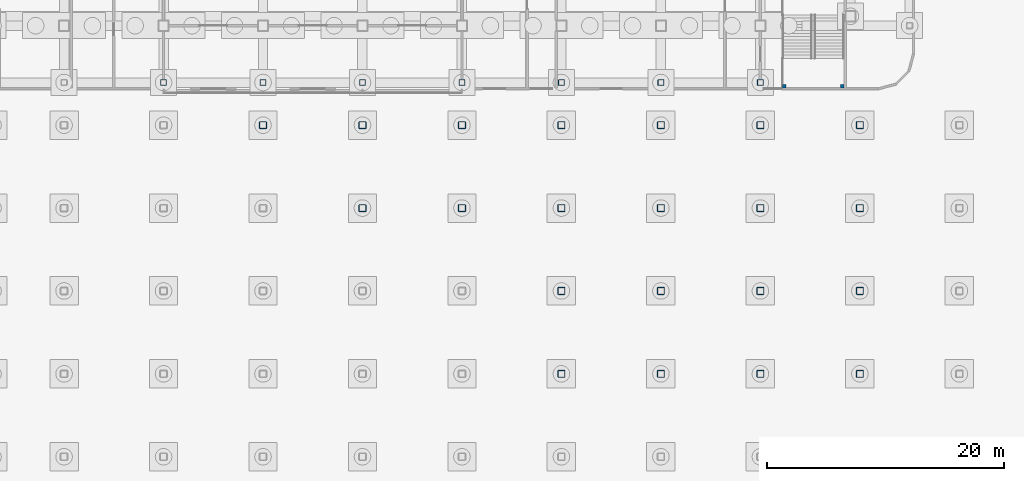
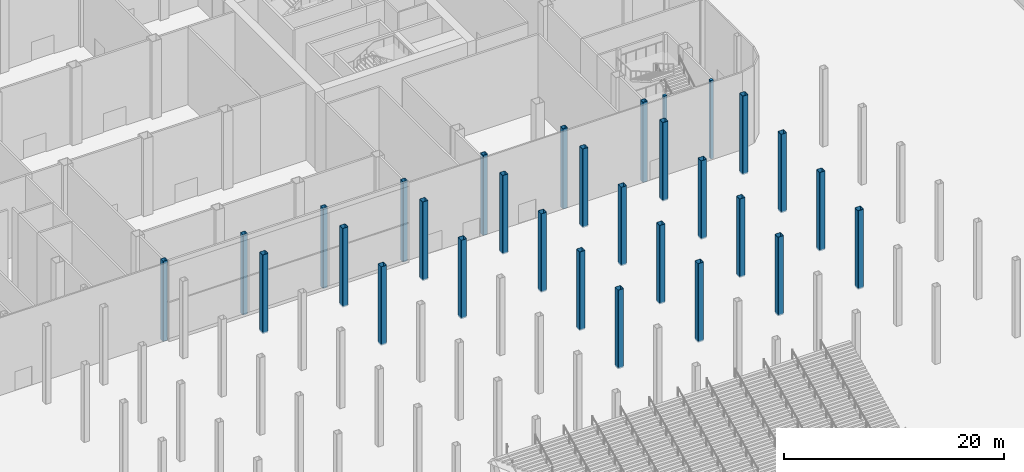
# One storey, part 10 of 113: 30 columns.
"""IFC4 building model written with IfcOpenShell, lengths in metres."""

from ifc_helpers import new_model, si_unit, direction, frame, origin, origin_2d, place, context, subcontext, project, spatial, rectangle, hollow_rectangle, extrude, material, material_profile, profile_set, type_object, element, save


model = new_model("IFC4")

# Units and contexts
model_context = context("Model", 3, precision=1e-05, world=origin(), true_north=direction((0.0, 1.0)))
body_context = subcontext(model_context, "Body", "Model", "MODEL_VIEW")
ifc_project = project(units=[si_unit("LENGTHUNIT", "METRE"), si_unit("AREAUNIT", "SQUARE_METRE"), si_unit("VOLUMEUNIT", "CUBIC_METRE"), si_unit("PLANEANGLEUNIT", "RADIAN"), si_unit("MASSUNIT", "GRAM", prefix="KILO")], contexts=[model_context])

# Site, building, storey
site_placement = place(None, origin())
site = spatial("IfcSite", under=ifc_project, at=site_placement, CompositionType="ELEMENT")
building_placement = place(site_placement, origin())
building = spatial("IfcBuilding", under=site, at=building_placement, Name="Hakoniwa Tower and Hamabe Station Hall", CompositionType="ELEMENT")
storey_placement = place(building_placement, origin())
storey = spatial("IfcBuildingStorey", under=building, at=storey_placement, Name="L01", CompositionType="ELEMENT", Elevation=0.0)

# Columns
ifc_material_1 = material(Name="Steel BCR295", Category="steel")
ifc_material_profile_1 = material_profile(ifc_material_1, hollow_rectangle(XDim=0.5, YDim=0.5, WallThickness=0.01904296875, InnerFilletRadius=0.028564453125, OuterFilletRadius=0.047607421875, at=origin_2d()), Name="BCR-500x500x19")
ifc_profile_set_1 = profile_set([ifc_material_profile_1], Name="Steel BCR295")
column_type_1 = type_object("IfcColumnType", Name="COLUMN BCR-500x500x19", PredefinedType="COLUMN", material=ifc_profile_set_1)
for number, where, z_axis, x_axis, name in (
    (1, (-8.39990234375, -24.39990234375, -0.300048828125), (0.0, 0.0, 1.0), (1.0, 0.0, 0.0), "Column P-6-RS"),
    (2, (0.0, -24.39990234375, -0.300048828125), (0.0, 0.0, 1.0), (1.0, 0.0, 0.0), "Column P-7-RS"),
    (3, (8.39990234375, -24.39990234375, -0.300048828125), (0.0, 0.0, 1.0), (1.0, 0.0, 0.0), "Column P-8-RS"),
    (4, (16.800048828125, -24.39990234375, -0.300048828125), (0.0, 0.0, 1.0), (1.0, 0.0, 0.0), "Column P-9-RS"),
    (5, (25.199951171875, -24.39990234375, -0.300048828125), (0.0, 0.0, 1.0), (1.0, 0.0, 0.0), "Column P-10-RS"),
    (6, (33.60009765625, -24.39990234375, -0.300048828125), (0.0, 0.0, 1.0), (1.0, 0.0, 0.0), "Column P-11-RS"),
    (7, (42.0, -24.39990234375, -0.300048828125), (0.0, 0.0, 1.0), (1.0, 0.0, 0.0), "Column P-12-RS"),
):
    element("IfcColumn", number, at=place(storey_placement, frame(where, z_axis=z_axis, x_axis=x_axis)), inside=storey, type_object=column_type_1, Name=name, PredefinedType="COLUMN", context=body_context, shape_type="SweptSolid", body=[
        extrude(hollow_rectangle(XDim=0.5, YDim=0.5, WallThickness=0.01904296875, InnerFilletRadius=0.028564453125, OuterFilletRadius=0.047607421875, at=origin_2d()), origin(), (0.0, 0.0, 1.0), 8.900146484375),
    ])
ifc_material_2 = material(Name="Steel BCP325", Category="steel")
ifc_material_profile_2 = material_profile(ifc_material_2, hollow_rectangle(XDim=0.60009765625, YDim=0.60009765625, WallThickness=0.02490234375, OuterFilletRadius=0.0625, at=origin_2d()), Name="DECK COLUMN BCP-600x600x25")
ifc_profile_set_2 = profile_set([ifc_material_profile_2], Name="Steel BCP325")
column_type_2 = type_object("IfcColumnType", Name="DECK COLUMN BCP-600x600x25", PredefinedType="COLUMN", material=ifc_profile_set_2)
for number, where, z_axis, x_axis, name in (
    (8, (0.0, -28.0, -0.14990234375), (0.0, 0.0, 1.0), (1.0, 0.0, 0.0), "Deck column 24"),
    (9, (8.39990234375, -35.0, -0.14990234375), (0.0, 0.0, 1.0), (1.0, 0.0, 0.0), "Deck column 29"),
    (10, (8.39990234375, -28.0, -0.14990234375), (0.0, 0.0, 1.0), (1.0, 0.0, 0.0), "Deck column 30"),
    (11, (16.800048828125, -35.0, -0.14990234375), (0.0, 0.0, 1.0), (1.0, 0.0, 0.0), "Deck column 35"),
    (12, (16.800048828125, -28.0, -0.14990234375), (0.0, 0.0, 1.0), (1.0, 0.0, 0.0), "Deck column 36"),
    (13, (25.199951171875, -49.0, -0.14990234375), (0.0, 0.0, 1.0), (1.0, 0.0, 0.0), "Deck column 39"),
    (14, (25.199951171875, -42.0, -0.14990234375), (0.0, 0.0, 1.0), (1.0, 0.0, 0.0), "Deck column 40"),
    (15, (25.199951171875, -35.0, -0.14990234375), (0.0, 0.0, 1.0), (1.0, 0.0, 0.0), "Deck column 41"),
    (16, (25.199951171875, -28.0, -0.14990234375), (0.0, 0.0, 1.0), (1.0, 0.0, 0.0), "Deck column 42"),
    (17, (33.60009765625, -49.0, -0.14990234375), (0.0, 0.0, 1.0), (1.0, 0.0, 0.0), "Deck column 45"),
    (18, (33.60009765625, -42.0, -0.14990234375), (0.0, 0.0, 1.0), (1.0, 0.0, 0.0), "Deck column 46"),
    (19, (33.60009765625, -35.0, -0.14990234375), (0.0, 0.0, 1.0), (1.0, 0.0, 0.0), "Deck column 47"),
    (20, (33.60009765625, -28.0, -0.14990234375), (0.0, 0.0, 1.0), (1.0, 0.0, 0.0), "Deck column 48"),
    (21, (42.0, -49.0, -0.14990234375), (0.0, 0.0, 1.0), (1.0, 0.0, 0.0), "Deck column 51"),
    (22, (42.0, -42.0, -0.14990234375), (0.0, 0.0, 1.0), (1.0, 0.0, 0.0), "Deck column 52"),
    (23, (42.0, -35.0, -0.14990234375), (0.0, 0.0, 1.0), (1.0, 0.0, 0.0), "Deck column 53"),
    (24, (42.0, -28.0, -0.14990234375), (0.0, 0.0, 1.0), (1.0, 0.0, 0.0), "Deck column 54"),
    (25, (50.39990234375, -49.0, -0.14990234375), (0.0, 0.0, 1.0), (1.0, 0.0, 0.0), "Deck column 57"),
    (26, (50.39990234375, -42.0, -0.14990234375), (0.0, 0.0, 1.0), (1.0, 0.0, 0.0), "Deck column 58"),
    (27, (50.39990234375, -35.0, -0.14990234375), (0.0, 0.0, 1.0), (1.0, 0.0, 0.0), "Deck column 59"),
    (28, (50.39990234375, -28.0, -0.14990234375), (0.0, 0.0, 1.0), (1.0, 0.0, 0.0), "Deck column 60"),
):
    element("IfcColumn", number, at=place(storey_placement, frame(where, z_axis=z_axis, x_axis=x_axis)), inside=storey, type_object=column_type_2, Name=name, PredefinedType="COLUMN", context=body_context, shape_type="SweptSolid", body=[
        extrude(hollow_rectangle(XDim=0.60009765625, YDim=0.60009765625, WallThickness=0.02490234375, OuterFilletRadius=0.0625, at=origin_2d()), origin(), (0.0, 0.0, 1.0), 8.739990234375),
    ])
ifc_material_3 = material(Name="Concrete C40", Category="concrete")
ifc_material_profile_3 = material_profile(ifc_material_3, rectangle(XDim=0.300048828125, YDim=0.300048828125, at=origin_2d()), Name="STAIR LANDING POST 300X300")
ifc_profile_set_3 = profile_set([ifc_material_profile_3], Name="Concrete C40")
column_type_3 = type_object("IfcColumnType", Name="STAIR LANDING POST 300X300", PredefinedType="COLUMN", material=ifc_profile_set_3)
for number, where, z_axis, x_axis, name in (
    (29, (48.89990234375, -24.699951171875, 0.0), (0.0, 0.0, 1.0), (1.0, 0.0, 0.0), "Landing post PS3 1a"),
    (30, (44.0, -24.699951171875, 0.0), (0.0, 0.0, 1.0), (1.0, 0.0, 0.0), "Landing post PS3 1b"),
):
    element("IfcColumn", number, at=place(storey_placement, frame(where, z_axis=z_axis, x_axis=x_axis)), inside=storey, type_object=column_type_3, Name=name, PredefinedType="COLUMN", context=body_context, shape_type="SweptSolid", body=[
        extrude(rectangle(XDim=0.300048828125, YDim=0.300048828125, at=origin_2d()), origin(), (0.0, 0.0, 1.0), 8.699951171875),
    ])

save(model, "model.ifc")
